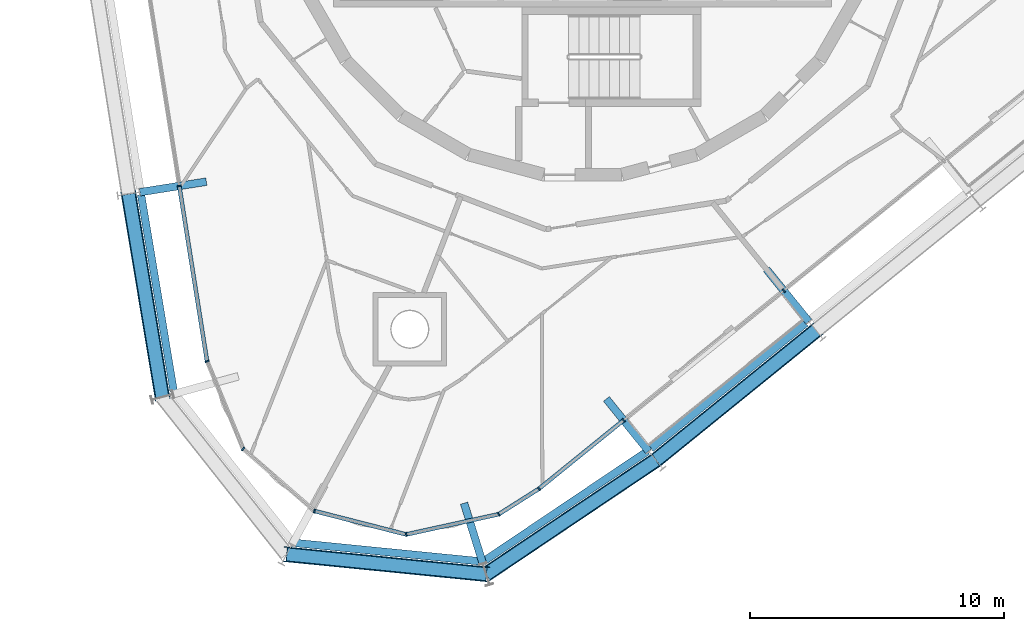
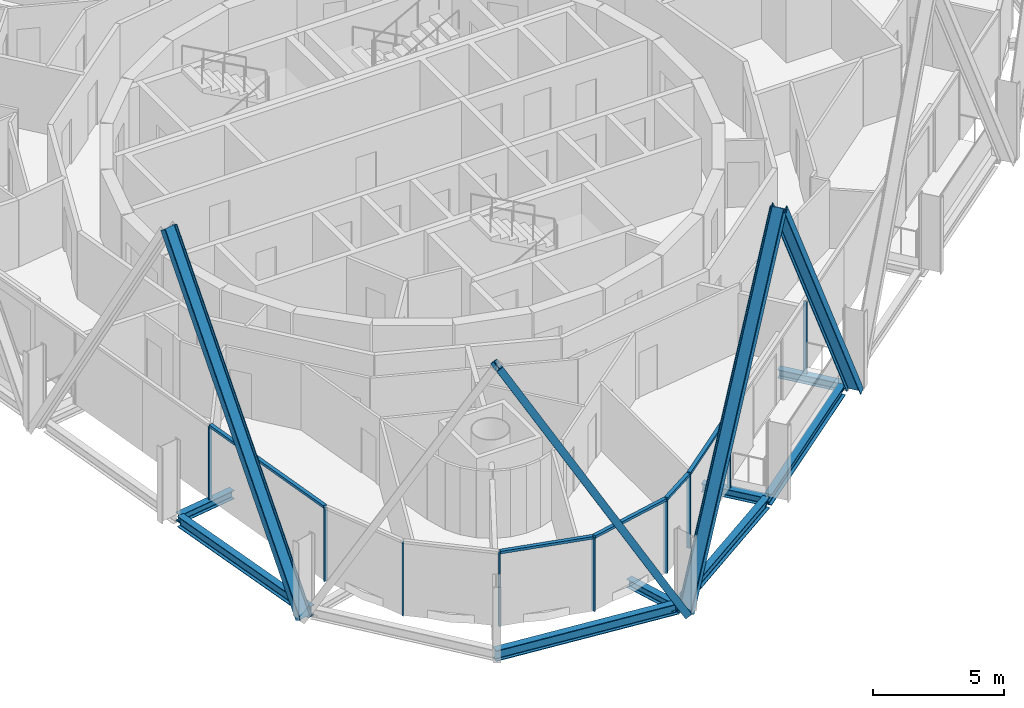
# One storey, part 2 of 18: 18 members, 8 beams, 2 elements without a shape of their own.
"""IFC4 building model written with IfcOpenShell, lengths in metres."""

from ifc_helpers import new_model, si_unit, direction, frame, origin, origin_2d, place, context, subcontext, project, spatial, rectangle, i_section, extrude, material, layer, layer_set, material_profile, profile_set, type_object, element, aggregate, save


model = new_model("IFC4")

# Units and contexts
model_context = context("Model", 3, precision=1e-05, world=origin(), true_north=direction((0.0, 1.0)))
body_context = subcontext(model_context, "Body", "Model", "MODEL_VIEW")
ifc_project = project(units=[si_unit("LENGTHUNIT", "METRE"), si_unit("AREAUNIT", "SQUARE_METRE"), si_unit("VOLUMEUNIT", "CUBIC_METRE"), si_unit("PLANEANGLEUNIT", "RADIAN"), si_unit("MASSUNIT", "GRAM", prefix="KILO")], contexts=[model_context])

# Site, building, storey
site_placement = place(None, origin())
site = spatial("IfcSite", under=ifc_project, at=site_placement, CompositionType="ELEMENT")
building_placement = place(site_placement, origin())
building = spatial("IfcBuilding", under=site, at=building_placement, Name="Spindle Arch Residences", CompositionType="ELEMENT")
storey_placement = place(building_placement, frame((0.0, 0.0, 277.39990234375)))
storey = spatial("IfcBuildingStorey", under=building, at=storey_placement, Name="L71", CompositionType="ELEMENT", Elevation=277.39990234375)

# Curtain wall, members
ifc_material_1 = material(Name="Aluminium bronze unitised frame with tinted glass", Category="aluminium")
ifc_layer_1 = layer(ifc_material_1, 0.159912109375)
ifc_layer_set_1 = layer_set([ifc_layer_1], Name="CW-D corner wall on the fillet arcs")
curtain_wall_type_1 = type_object("IfcCurtainWallType", Name="CW-D corner wall on the fillet arcs", PredefinedType="NOTDEFINED", material=ifc_layer_set_1)
curtain_wall_1_placement = place(storey_placement, origin())
curtain_wall_1 = element("IfcCurtainWall", 1, at=curtain_wall_1_placement, inside=storey, type_object=curtain_wall_type_1, Name="CW-D L71 run 5", PredefinedType="NOTDEFINED")
ifc_material_2 = material(Name="Aluminium bronze anodised mullion", Category="aluminium")
ifc_material_profile_1 = material_profile(ifc_material_2, rectangle(XDim=0.159912109375, YDim=0.06005859375, at=origin_2d()), Name="MU 60x160")
ifc_profile_set_1 = profile_set([ifc_material_profile_1], Name="Aluminium bronze anodised mullion")
member_type_1 = type_object("IfcMemberType", Name="Bronze mullion 60x160", PredefinedType="MULLION", material=ifc_profile_set_1)
member_1_placement = place(storey_placement, frame((-15.880615234375, -12.092041015625, -0.3798828125), z_axis=(0.0, 0.0, 1.0), x_axis=(0.987688340595, 0.15643446504, 0.0)))
member_1 = element("IfcMember", 2, at=member_1_placement, type_object=member_type_1, Name="CW-D mullion 00", PredefinedType="MULLION", context=body_context, shape_type="SweptSolid", body=[
    extrude(rectangle(XDim=0.159912109375, YDim=0.06005859375, at=origin_2d()), origin(), (0.0, 0.0, 1.0), 3.3798828125),
])
member_2_placement = place(storey_placement, frame((-14.787109375, -18.99560546875, -0.3798828125), z_axis=(0.0, 0.0, 1.0), x_axis=(0.92498880334, 0.379994360085, 0.0)))
member_2 = element("IfcMember", 3, at=member_2_placement, type_object=member_type_1, Name="CW-D mullion 01", PredefinedType="MULLION", context=body_context, shape_type="SweptSolid", body=[
    extrude(rectangle(XDim=0.159912109375, YDim=0.06005859375, at=origin_2d()), origin(), (0.0, 0.0, 1.0), 3.3798828125),
])
member_3_placement = place(storey_placement, frame((-13.370849609375, -22.44287109375, -0.3798828125), z_axis=(0.0, 0.0, 1.0), x_axis=(0.656059025711, 0.754709583074, 0.0)))
member_3 = element("IfcMember", 4, at=member_3_placement, type_object=member_type_1, Name="CW-D mullion 02", PredefinedType="MULLION", context=body_context, shape_type="SweptSolid", body=[
    extrude(rectangle(XDim=0.159912109375, YDim=0.06005859375, at=origin_2d()), origin(), (0.0, 0.0, 1.0), 3.3798828125),
])
member_4_placement = place(storey_placement, frame((-10.558349609375, -24.887939453125, -0.3798828125), z_axis=(0.0, 0.0, 1.0), x_axis=(0.247562720743, 0.968871869392, 0.0)))
member_4 = element("IfcMember", 5, at=member_4_placement, type_object=member_type_1, Name="CW-D mullion 03", PredefinedType="MULLION", context=body_context, shape_type="SweptSolid", body=[
    extrude(rectangle(XDim=0.159912109375, YDim=0.06005859375, at=origin_2d()), origin(), (0.0, 0.0, 1.0), 3.3798828125),
])
member_5_placement = place(storey_placement, frame((-6.947509765625, -25.810546875, -0.3798828125), z_axis=(0.0, 0.0, 1.0), x_axis=(-0.213598770213, 0.976921473489, 0.0)))
member_5 = element("IfcMember", 6, at=member_5_placement, type_object=member_type_1, Name="CW-D mullion 04", PredefinedType="MULLION", context=body_context, shape_type="SweptSolid", body=[
    extrude(rectangle(XDim=0.159912109375, YDim=0.06005859375, at=origin_2d()), origin(), (0.0, 0.0, 1.0), 3.3798828125),
])
member_6_placement = place(storey_placement, frame((-3.306884765625, -25.014404296875, -0.3798828125), z_axis=(0.0, 0.0, 1.0), x_axis=(-0.53484401224, 0.844950816658, 0.0)))
member_6 = element("IfcMember", 7, at=member_6_placement, type_object=member_type_1, Name="CW-D mullion 05", PredefinedType="MULLION", context=body_context, shape_type="SweptSolid", body=[
    extrude(rectangle(XDim=0.159912109375, YDim=0.06005859375, at=origin_2d()), origin(), (0.0, 0.0, 1.0), 3.3798828125),
])
member_7_placement = place(storey_placement, frame((-1.7216796875, -24.010986328125, -0.3798828125), z_axis=(0.0, 0.0, 1.0), x_axis=(-0.62932039105, 0.777145961457, 0.0)))
member_7 = element("IfcMember", 8, at=member_7_placement, type_object=member_type_1, Name="CW-D mullion 06", PredefinedType="MULLION", context=body_context, shape_type="SweptSolid", body=[
    extrude(rectangle(XDim=0.159912109375, YDim=0.06005859375, at=origin_2d()), origin(), (0.0, 0.0, 1.0), 3.3798828125),
])

ifc_material_3 = material(Name="Aluminium bronze unitised frame with tinted glass", Category="aluminium")
ifc_layer_2 = layer(ifc_material_3, 0.159912109375)
ifc_layer_set_2 = layer_set([ifc_layer_2], Name="CW-C typical residential unitised wall")
curtain_wall_type_2 = type_object("IfcCurtainWallType", Name="CW-C typical residential unitised wall", PredefinedType="NOTDEFINED", material=ifc_layer_set_2)
curtain_wall_2_placement = place(storey_placement, origin())
curtain_wall_2 = element("IfcCurtainWall", 9, at=curtain_wall_2_placement, inside=storey, type_object=curtain_wall_type_2, Name="CW-C L71 run 6", PredefinedType="NOTDEFINED")
member_8_placement = place(storey_placement, frame((1.610107421875, -21.31298828125, -0.3798828125), z_axis=(0.0, 0.0, 1.0), x_axis=(-0.62932039105, 0.777145961457, 0.0)))
member_8 = element("IfcMember", 10, at=member_8_placement, type_object=member_type_1, Name="CW-C mullion 18", PredefinedType="MULLION", context=body_context, shape_type="SweptSolid", body=[
    extrude(rectangle(XDim=0.159912109375, YDim=0.06005859375, at=origin_2d()), origin(), (0.0, 0.0, 1.0), 3.3798828125),
])
member_9_placement = place(storey_placement, frame((7.910888671875, -16.210693359375, -0.3798828125), z_axis=(0.0, 0.0, 1.0), x_axis=(-0.62932039105, 0.777145961457, 0.0)))
member_9 = element("IfcMember", 11, at=member_9_placement, type_object=member_type_1, Name="CW-C mullion 19", PredefinedType="MULLION", context=body_context, shape_type="SweptSolid", body=[
    extrude(rectangle(XDim=0.159912109375, YDim=0.06005859375, at=origin_2d()), origin(), (0.0, 0.0, 1.0), 3.3798828125),
])
aggregate(curtain_wall_2, [member_8, member_9])

# Member
ifc_material_4 = material(Name="Aluminium bronze anodised transom", Category="aluminium")
ifc_material_profile_2 = material_profile(ifc_material_4, rectangle(XDim=0.159912109375, YDim=0.1201171875, at=origin_2d()), Name="TR 120x160")
ifc_profile_set_2 = profile_set([ifc_material_profile_2], Name="Aluminium bronze anodised transom")
member_type_2 = type_object("IfcMemberType", Name="Bronze transom 120x160", PredefinedType="USERDEFINED", material=ifc_profile_set_2)
member_10_placement = place(storey_placement, frame((-15.875732421875, -12.12158203125, 3.06005859375), z_axis=(0.156423886955, -0.987690015941, 0.0), x_axis=(0.987690015941, 0.156423886955, 0.0)))
member_10 = element("IfcMember", 12, at=member_10_placement, type_object=member_type_2, Name="CW-D transom 00", ObjectType="TRANSOM", PredefinedType="USERDEFINED", context=body_context, shape_type="SweptSolid", body=[
    extrude(rectangle(XDim=0.159912109375, YDim=0.1201171875, at=origin_2d()), origin(), (0.0, 0.0, 1.0), 6.9296875),
])

member_11_placement = place(storey_placement, frame((-10.529296875, -24.895263671875, 3.06005859375), z_axis=(0.968876271824, -0.247545490561, 0.0), x_axis=(0.247545490561, 0.968876271824, 0.0)))
member_11 = element("IfcMember", 13, at=member_11_placement, type_object=member_type_2, Name="CW-D transom 03", ObjectType="TRANSOM", PredefinedType="USERDEFINED", context=body_context, shape_type="SweptSolid", body=[
    extrude(rectangle(XDim=0.159912109375, YDim=0.1201171875, at=origin_2d()), origin(), (0.0, 0.0, 1.0), 3.666748046875),
])

member_12_placement = place(storey_placement, frame((-6.918212890625, -25.803955078125, 3.06005859375), z_axis=(0.976920862917, 0.213601562721, 0.0), x_axis=(-0.213601562721, 0.976920862917, 0.0)))
member_12 = element("IfcMember", 14, at=member_12_placement, type_object=member_type_2, Name="CW-D transom 04", ObjectType="TRANSOM", PredefinedType="USERDEFINED", context=body_context, shape_type="SweptSolid", body=[
    extrude(rectangle(XDim=0.159912109375, YDim=0.1201171875, at=origin_2d()), origin(), (0.0, 0.0, 1.0), 3.666748046875),
])

member_13_placement = place(storey_placement, frame((-3.281494140625, -24.998291015625, 3.06005859375), z_axis=(0.844970968959, 0.534812174148, 0.0), x_axis=(-0.534812174148, 0.844970968959, 0.0)))
member_13 = element("IfcMember", 15, at=member_13_placement, type_object=member_type_2, Name="CW-D transom 05", ObjectType="TRANSOM", PredefinedType="USERDEFINED", context=body_context, shape_type="SweptSolid", body=[
    extrude(rectangle(XDim=0.159912109375, YDim=0.1201171875, at=origin_2d()), origin(), (0.0, 0.0, 1.0), 1.81591796875),
])

member_14_placement = place(storey_placement, frame((-1.6982421875, -23.9921875, 3.06005859375), z_axis=(0.777130537676, 0.629339437356, 0.0), x_axis=(-0.629339437356, 0.777130537676, 0.0)))
member_14 = element("IfcMember", 16, at=member_14_placement, type_object=member_type_2, Name="CW-D transom 06", ObjectType="TRANSOM", PredefinedType="USERDEFINED", context=body_context, shape_type="SweptSolid", body=[
    extrude(rectangle(XDim=0.159912109375, YDim=0.1201171875, at=origin_2d()), origin(), (0.0, 0.0, 1.0), 4.227294921875),
])

aggregate(curtain_wall_1, [member_1, member_10, member_2, member_3, member_4, member_11, member_5, member_12, member_6, member_13, member_7, member_14])

# Members
ifc_material_5 = material(Name="Steel S460ML, intumescent coating R 240", Category="steel")
ifc_material_profile_3 = material_profile(ifc_material_5, i_section(OverallWidth=0.300048828125, OverallDepth=0.60009765625, WebThickness=0.015380859375, FlangeThickness=0.030029296875, FilletRadius=0.027099609375, at=origin_2d()), Name="HEB 600")
ifc_profile_set_3 = profile_set([ifc_material_profile_3], Name="Steel S460ML, intumescent coating R 240")
member_type_3 = type_object("IfcMemberType", Name="Diagrid diagonal HEB 600", PredefinedType="BRACE", material=ifc_profile_set_3)
member_15_placement = place(storey_placement, frame((-16.546630859375, -20.40380859375, -0.6298828125), z_axis=(-0.08315213004, 0.500333531312, 0.861830656634), x_axis=(0.141292588602, -0.850169680194, 0.507196134927)))
element("IfcMember", 17, at=member_15_placement, inside=storey, type_object=member_type_3, Name="Diagrid diagonal 7.2.15", PredefinedType="BRACE", context=body_context, shape_type="SweptSolid", body=[
    extrude(i_section(OverallWidth=0.300048828125, OverallDepth=0.60009765625, WebThickness=0.015380859375, FlangeThickness=0.030029296875, FilletRadius=0.027099609375, at=origin_2d()), origin(), (0.0, 0.0, 1.0), 15.98095703125),
])
member_16_placement = place(storey_placement, frame((-3.79833984375, -27.373291015625, -0.6298828125), z_axis=(-0.494733469178, 0.049108837227, 0.867656105021), x_axis=(0.863412847739, -0.085705139517, 0.497164845317)))
element("IfcMember", 18, at=member_16_placement, inside=storey, type_object=member_type_3, Name="Diagrid diagonal 7.2.17", PredefinedType="BRACE", context=body_context, shape_type="SweptSolid", body=[
    extrude(i_section(OverallWidth=0.300048828125, OverallDepth=0.60009765625, WebThickness=0.015380859375, FlangeThickness=0.030029296875, FilletRadius=0.027099609375, at=origin_2d()), origin(), (0.0, 0.0, 1.0), 15.873779296875),
])
member_17_placement = place(storey_placement, frame((-3.79833984375, -27.373291015625, -0.6298828125), z_axis=(0.418728082228, 0.281493626331, 0.863381799373), x_axis=(-0.716522400444, -0.481688468982, 0.504551155496)))
element("IfcMember", 19, at=member_17_placement, inside=storey, type_object=member_type_3, Name="Diagrid diagonal 7.2.18", PredefinedType="BRACE", context=body_context, shape_type="SweptSolid", body=[
    extrude(i_section(OverallWidth=0.300048828125, OverallDepth=0.60009765625, WebThickness=0.015380859375, FlangeThickness=0.030029296875, FilletRadius=0.027099609375, at=origin_2d()), origin(), (0.0, 0.0, 1.0), 15.952392578125),
])
member_18_placement = place(storey_placement, frame((9.18212890625, -17.780517578125, -0.6298828125), z_axis=(-0.39423998617, -0.319250676959, 0.861773658547), x_axis=(0.669722729593, 0.542333203881, 0.507292973965)))
element("IfcMember", 20, at=member_18_placement, inside=storey, type_object=member_type_3, Name="Diagrid diagonal 7.2.19", PredefinedType="BRACE", context=body_context, shape_type="SweptSolid", body=[
    extrude(i_section(OverallWidth=0.300048828125, OverallDepth=0.60009765625, WebThickness=0.015380859375, FlangeThickness=0.030029296875, FilletRadius=0.027099609375, at=origin_2d()), origin(), (0.0, 0.0, 1.0), 15.982177734375),
])

# Beams
ifc_material_6 = material(Name="Steel S460ML, intumescent coating R 120", Category="steel")
ifc_material_profile_4 = material_profile(ifc_material_6, i_section(OverallWidth=0.300048828125, OverallDepth=0.5, WebThickness=0.014404296875, FlangeThickness=0.028076171875, FilletRadius=0.027099609375, at=origin_2d()), Name="HEB 500")
ifc_profile_set_4 = profile_set([ifc_material_profile_4], Name="Steel S460ML, intumescent coating R 120")
beam_type_1 = type_object("IfcBeamType", Name="Exoskeleton edge beam HEB 500", PredefinedType="BEAM", material=ifc_profile_set_4)
beam_1_placement = place(storey_placement, frame((-17.385009765625, -12.43505859375, -0.6298828125), z_axis=(0.16393470778, -0.986471191462, 0.0), x_axis=(0.986471191462, 0.16393470778, 0.0)))
element("IfcBeam", 21, at=beam_1_placement, inside=storey, type_object=beam_type_1, Name="Exoskeleton edge beam 15", PredefinedType="BEAM", context=body_context, shape_type="SweptSolid", body=[
    extrude(i_section(OverallWidth=0.300048828125, OverallDepth=0.5, WebThickness=0.014404296875, FlangeThickness=0.028076171875, FilletRadius=0.027099609375, at=origin_2d()), origin(), (0.0, 0.0, 1.0), 7.845458984375),
])
beam_2_placement = place(storey_placement, frame((-11.474609375, -26.12890625, -0.6298828125), z_axis=(0.99510851629, -0.098787857593, 0.0), x_axis=(0.098787857593, 0.99510851629, 0.0)))
element("IfcBeam", 22, at=beam_2_placement, inside=storey, type_object=beam_type_1, Name="Exoskeleton edge beam 17", PredefinedType="BEAM", context=body_context, shape_type="SweptSolid", body=[
    extrude(i_section(OverallWidth=0.300048828125, OverallDepth=0.5, WebThickness=0.014404296875, FlangeThickness=0.028076171875, FilletRadius=0.027099609375, at=origin_2d()), origin(), (0.0, 0.0, 1.0), 7.631591796875),
])
beam_3_placement = place(storey_placement, frame((-3.9169921875, -26.877685546875, -0.6298828125), z_axis=(0.829907876947, 0.557900453291, 0.0), x_axis=(-0.557900453291, 0.829907876947, 0.0)))
element("IfcBeam", 23, at=beam_3_placement, inside=storey, type_object=beam_type_1, Name="Exoskeleton edge beam 18", PredefinedType="BEAM", context=body_context, shape_type="SweptSolid", body=[
    extrude(i_section(OverallWidth=0.300048828125, OverallDepth=0.5, WebThickness=0.014404296875, FlangeThickness=0.028076171875, FilletRadius=0.027099609375, at=origin_2d()), origin(), (0.0, 0.0, 1.0), 7.7890625),
])
beam_4_placement = place(storey_placement, frame((2.680419921875, -22.427978515625, -0.6298828125), z_axis=(0.777152125993, 0.629312778406, 0.0), x_axis=(-0.629312778406, 0.777152125993, 0.0)))
element("IfcBeam", 24, at=beam_4_placement, inside=storey, type_object=beam_type_1, Name="Exoskeleton edge beam 19", PredefinedType="BEAM", context=body_context, shape_type="SweptSolid", body=[
    extrude(i_section(OverallWidth=0.300048828125, OverallDepth=0.5, WebThickness=0.014404296875, FlangeThickness=0.028076171875, FilletRadius=0.027099609375, at=origin_2d()), origin(), (0.0, 0.0, 1.0), 7.847412109375),
])
ifc_material_7 = material(Name="Steel S460ML, intumescent coating R 120", Category="steel")
ifc_material_profile_5 = material_profile(ifc_material_7, i_section(OverallWidth=0.300048828125, OverallDepth=0.389892578125, WebThickness=0.010986328125, FlangeThickness=0.01904296875, FilletRadius=0.027099609375, at=origin_2d()), Name="HEA 400")
ifc_profile_set_5 = profile_set([ifc_material_profile_5], Name="Steel S460ML, intumescent coating R 120")
beam_type_2 = type_object("IfcBeamType", Name="Floor outrigger HEA 400", PredefinedType="BEAM", material=ifc_profile_set_5)
beam_5_placement = place(storey_placement, frame((-17.43115234375, -12.337646484375, -0.574951171875), z_axis=(0.987688904051, 0.156430907479, 0.0), x_axis=(-0.156430907479, 0.987688904051, 0.0)))
element("IfcBeam", 25, at=beam_5_placement, inside=storey, type_object=beam_type_2, Name="Floor outrigger 15", PredefinedType="BEAM", context=body_context, shape_type="SweptSolid", body=[
    extrude(i_section(OverallWidth=0.300048828125, OverallDepth=0.389892578125, WebThickness=0.010986328125, FlangeThickness=0.01904296875, FilletRadius=0.027099609375, at=origin_2d()), origin(), (0.0, 0.0, 1.0), 2.650146484375),
])
beam_6_placement = place(storey_placement, frame((-3.932373046875, -26.943603515625, -0.574951171875), z_axis=(-0.297848736129, 0.954613078889, 0.0), x_axis=(-0.954613078889, -0.297848736129, 0.0)))
element("IfcBeam", 26, at=beam_6_placement, inside=storey, type_object=beam_type_2, Name="Floor outrigger 18", PredefinedType="BEAM", context=body_context, shape_type="SweptSolid", body=[
    extrude(i_section(OverallWidth=0.300048828125, OverallDepth=0.389892578125, WebThickness=0.010986328125, FlangeThickness=0.01904296875, FilletRadius=0.027099609375, at=origin_2d()), origin(), (0.0, 0.0, 1.0), 2.478759765625),
])
for number, where, z_axis, x_axis, name in (
    (27, (2.59814453125, -22.533203125, -0.574951171875), (-0.629301579077, 0.777161194715, 0.0), (-0.777161194715, -0.629301579077, 0.0), "Floor outrigger 19"),
    (28, (8.89892578125, -17.430908203125, -0.574951171875), (-0.629301579077, 0.777161194715, 0.0), (-0.777161194715, -0.629301579077, 0.0), "Floor outrigger 20"),
):
    element("IfcBeam", number, at=place(storey_placement, frame(where, z_axis=z_axis, x_axis=x_axis)), inside=storey, type_object=beam_type_2, Name=name, PredefinedType="BEAM", context=body_context, shape_type="SweptSolid", body=[
        extrude(i_section(OverallWidth=0.300048828125, OverallDepth=0.389892578125, WebThickness=0.010986328125, FlangeThickness=0.01904296875, FilletRadius=0.027099609375, at=origin_2d()), origin(), (0.0, 0.0, 1.0), 2.650146484375),
    ])

save(model, "model.ifc")
